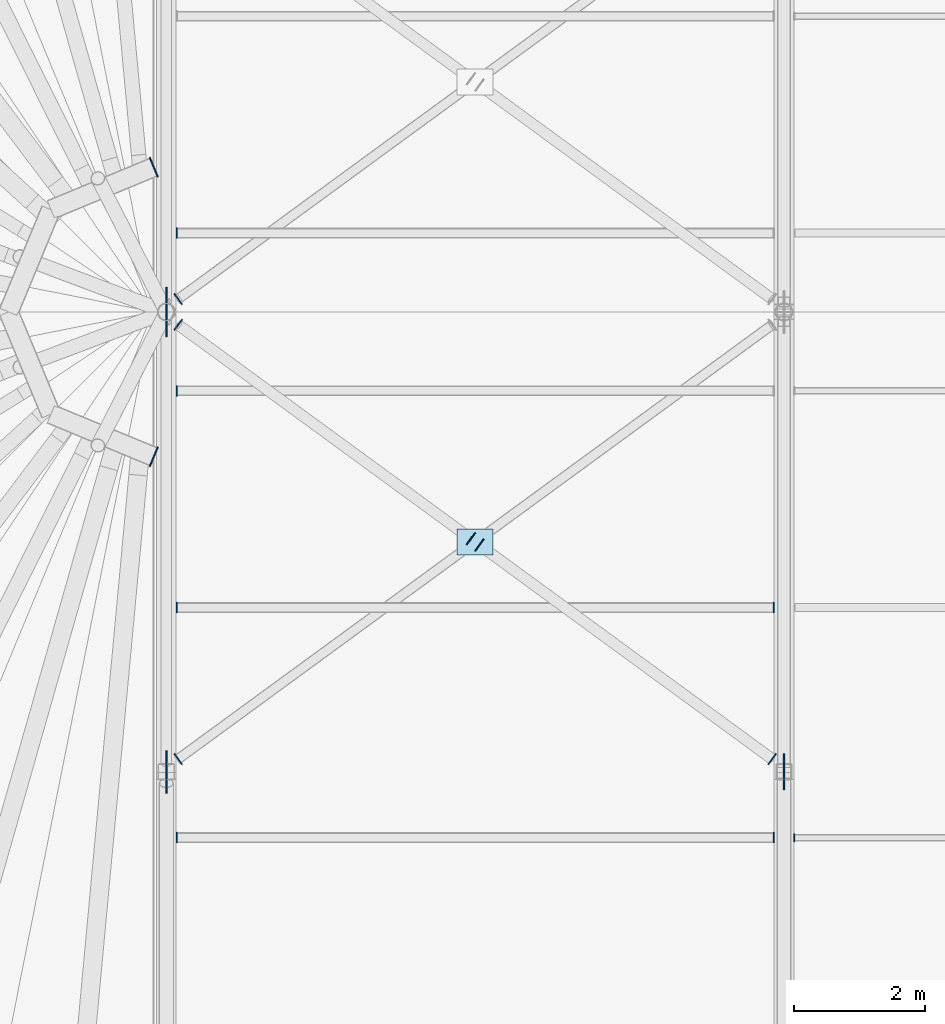
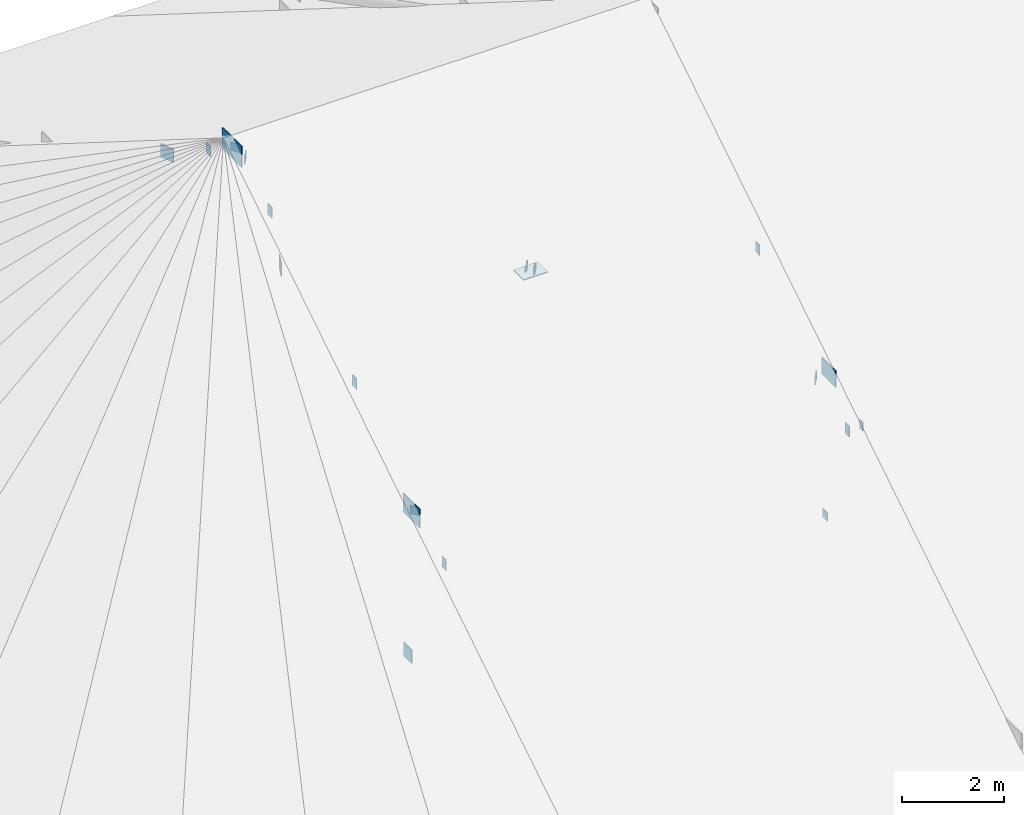
# One storey, part 35 of 66: 21 plates.
"""IFC4 building model written with IfcOpenShell, lengths in metres."""

from ifc_helpers import new_model, si_unit, direction, frame, origin, origin_2d, place, context, subcontext, project, spatial, rectangle, extrude, material, layer, layer_set, type_object, element, save


model = new_model("IFC4")

# Units and contexts
model_context = context("Model", 3, precision=1e-05, world=origin(), true_north=direction((0.0, 1.0)))
body_context = subcontext(model_context, "Body", "Model", "MODEL_VIEW")
ifc_project = project(units=[si_unit("LENGTHUNIT", "METRE"), si_unit("AREAUNIT", "SQUARE_METRE"), si_unit("VOLUMEUNIT", "CUBIC_METRE"), si_unit("PLANEANGLEUNIT", "RADIAN"), si_unit("MASSUNIT", "GRAM", prefix="KILO")], contexts=[model_context])

# Site, building, storey
site_placement = place(None, origin())
site = spatial("IfcSite", under=ifc_project, at=site_placement, CompositionType="ELEMENT")
building_placement = place(site_placement, origin())
building = spatial("IfcBuilding", under=site, at=building_placement, Name="Yeouljin Market Hall", CompositionType="ELEMENT")
storey_placement = place(building_placement, frame((0.0, 0.0, 23.39990234375)))
storey = spatial("IfcBuildingStorey", under=building, at=storey_placement, Name="RF", CompositionType="ELEMENT", Elevation=23.39990234375)

# Plates
ifc_material_1 = material(Name="Steel SM355", Category="steel")
ifc_layer_1 = layer(ifc_material_1, 0.01611328125)
ifc_layer_set_1 = layer_set([ifc_layer_1], Name="Steel SM355")
plate_type_1 = type_object("IfcPlateType", Name="CapPlate_200x200x16", PredefinedType="SHEET", material=ifc_layer_set_1)
for number, where, z_axis, x_axis, name in (
    (1, (45.0, 50.144287109375, -7.078125), (0.0, 0.0, 1.0), (0.0, 1.0, 0.0), "Hollow web end-cap plate 0006"),
    (2, (35.780029296875, 50.195556640625, -3.78271484375), (0.0, 0.0, 1.0), (-0.590183063249, 0.807269441918, 0.0), "Wind brace end-cap plate 0073"),
    (3, (35.780029296875, 56.804443359375, 0.623046875), (0.0, 0.0, 1.0), (0.590183063249, 0.807269441918, 0.0), "Wind brace end-cap plate 0075"),
    (4, (44.820068359375, 50.195556640625, -3.78271484375), (0.0, 0.0, 1.0), (0.590183063249, 0.807269441918, 0.0), "Wind brace end-cap plate 0078"),
    (5, (35.780029296875, 57.195556640625, 0.623046875), (0.0, 0.0, 1.0), (-0.590183063249, 0.807269441918, 0.0), "Wind brace end-cap plate 0079"),
):
    element("IfcPlate", number, at=place(storey_placement, frame(where, z_axis=z_axis, x_axis=x_axis)), inside=storey, type_object=plate_type_1, Name=name, PredefinedType="SHEET", context=body_context, shape_type="SweptSolid", body=[
        extrude(rectangle(XDim=0.199951171875, YDim=0.01611328125, at=origin_2d()), origin(), (0.0, 0.0, 1.0), 0.199951171875),
    ])
ifc_material_2 = material(Name="Steel SM355", Category="steel")
ifc_layer_2 = layer(ifc_material_2, 0.01611328125)
ifc_layer_set_2 = layer_set([ifc_layer_2], Name="Steel SM355")
plate_type_2 = type_object("IfcPlateType", Name="CapPlate_220x120x16", PredefinedType="SHEET", material=ifc_layer_set_2)
for number, where, z_axis, x_axis, name in (
    (6, (40.234619140625, 53.5478515625, -1.508056640625), (0.0, 0.0, 1.0), (0.590183063249, 0.807269441918, 0.0), "Wind brace end-cap plate 0076"),
    (7, (40.365478515625, 53.4521484375, -1.554931640625), (0.0, 0.0, 1.0), (0.590183063249, 0.807269441918, 0.0), "Wind brace end-cap plate 0077"),
):
    element("IfcPlate", number, at=place(storey_placement, frame(where, z_axis=z_axis, x_axis=x_axis)), inside=storey, type_object=plate_type_2, Name=name, PredefinedType="SHEET", context=body_context, shape_type="SweptSolid", body=[
        extrude(rectangle(XDim=0.219970703125, YDim=0.01611328125, at=origin_2d()), origin(), (0.0, 0.0, 1.0), 0.1201171875),
    ])
plate_1_placement = place(storey_placement, frame((45.157958984375, 49.0, -4.318359375), z_axis=(0.0, 0.0, 1.0), x_axis=(0.0, 1.0, 0.0)))
element("IfcPlate", 8, at=plate_1_placement, inside=storey, type_object=plate_type_2, Name="Purlin end-cap plate 0087", PredefinedType="SHEET", context=body_context, shape_type="SweptSolid", body=[
    extrude(rectangle(XDim=0.1201171875, YDim=0.01611328125, at=origin_2d()), origin(), (0.0, 0.0, 1.0), 0.219970703125),
])
ifc_material_3 = material(Name="Steel SM355", Category="steel")
ifc_layer_3 = layer(ifc_material_3, 0.01611328125)
ifc_layer_set_3 = layer_set([ifc_layer_3], Name="Steel SM355")
plate_type_3 = type_object("IfcPlateType", Name="CapPlate_260x160x16", PredefinedType="SHEET", material=ifc_layer_set_3)
for number, where, z_axis, x_axis, name in (
    (9, (35.758056640625, 49.0, -4.33837890625), (0.0, 0.0, 1.0), (0.0, 1.0, 0.0), "Purlin end-cap plate 0055"),
    (10, (44.842041015625, 49.0, -4.33837890625), (0.0, 0.0, 1.0), (0.0, 1.0, 0.0), "Purlin end-cap plate 0056"),
    (11, (35.758056640625, 52.5, -2.138671875), (0.0, 0.0, 1.0), (0.0, 1.0, 0.0), "Purlin end-cap plate 0057"),
    (12, (44.842041015625, 52.5, -2.138671875), (0.0, 0.0, 1.0), (0.0, 1.0, 0.0), "Purlin end-cap plate 0058"),
    (13, (35.758056640625, 55.800048828125, -0.06396484375), (0.0, 0.0, 1.0), (0.0, 1.0, 0.0), "Purlin end-cap plate 0059"),
    (14, (35.758056640625, 58.199951171875, -0.06396484375), (0.0, 0.0, 1.0), (0.0, 1.0, 0.0), "Purlin end-cap plate 0061"),
):
    element("IfcPlate", number, at=place(storey_placement, frame(where, z_axis=z_axis, x_axis=x_axis)), inside=storey, type_object=plate_type_3, Name=name, PredefinedType="SHEET", context=body_context, shape_type="SweptSolid", body=[
        extrude(rectangle(XDim=0.159912109375, YDim=0.01611328125, at=origin_2d()), origin(), (0.0, 0.0, 1.0), 0.260009765625),
    ])
ifc_material_4 = material(Name="Steel SM355", Category="steel")
ifc_layer_4 = layer(ifc_material_4, 0.02001953125)
ifc_layer_set_4 = layer_set([ifc_layer_4], Name="Steel SM355")
plate_type_4 = type_object("IfcPlateType", Name="CapPlate_320x320x20", PredefinedType="SHEET", material=ifc_layer_set_4)
for number, where, z_axis, x_axis, name in (
    (15, (35.60009765625, 50.144287109375, -7.13818359375), (0.0, 0.0, 1.0), (0.0, 1.0, 0.0), "Hollow web end-cap plate 0002"),
    (16, (35.4091796875, 54.796142578125, -0.66015625), (0.0, 0.0, 1.0), (-0.382683432365, -0.923879532511, 0.0), "Apse compression ring cap plate west 1"),
    (17, (35.4091796875, 59.203857421875, -0.66015625), (0.0, 0.0, 1.0), (-0.382683432365, 0.923879532511, 0.0), "Apse compression ring cap plate west 4"),
):
    element("IfcPlate", number, at=place(storey_placement, frame(where, z_axis=z_axis, x_axis=x_axis)), inside=storey, type_object=plate_type_4, Name=name, PredefinedType="SHEET", context=body_context, shape_type="SweptSolid", body=[
        extrude(rectangle(XDim=0.320068359375, YDim=0.02001953125, at=origin_2d()), origin(), (0.0, 0.0, 1.0), 0.320068359375),
    ])
ifc_material_5 = material(Name="Steel SM355", Category="steel")
ifc_layer_5 = layer(ifc_material_5, 0.02001953125)
ifc_layer_set_5 = layer_set([ifc_layer_5], Name="Steel SM355")
plate_type_5 = type_object("IfcPlateType", Name="GussetPlate_550x400x20", PredefinedType="USERDEFINED", material=ifc_layer_set_5)
plate_2_placement = place(storey_placement, frame((45.0, 50.0, -3.699951171875), z_axis=(0.0, 0.0, 1.0), x_axis=(0.0, 1.0, 0.0)))
element("IfcPlate", 18, at=plate_2_placement, inside=storey, type_object=plate_type_5, Name="Truss node gusset plate 007", ObjectType="GUSSET PLATE", PredefinedType="USERDEFINED", context=body_context, shape_type="SweptSolid", body=[
    extrude(rectangle(XDim=0.550048828125, YDim=0.02001953125, at=origin_2d()), origin(), (0.0, 0.0, 1.0), 0.39990234375),
])
plate_3_placement = place(storey_placement, frame((40.300048828125, 53.5, -1.579833984375), z_axis=(0.0, 0.0, 1.0), x_axis=(1.0, 0.0, 0.0)))
element("IfcPlate", 19, at=plate_3_placement, inside=storey, type_object=plate_type_5, Name="X-brace crossing node gusset plate 001", ObjectType="GUSSET PLATE", PredefinedType="USERDEFINED", context=body_context, shape_type="SweptSolid", body=[
    extrude(rectangle(XDim=0.550048828125, YDim=0.39990234375, at=origin_2d()), origin(), (0.0, 0.0, 1.0), 0.02001953125),
])
ifc_material_6 = material(Name="Steel SM355", Category="steel")
ifc_layer_6 = layer(ifc_material_6, 0.02197265625)
ifc_layer_set_6 = layer_set([ifc_layer_6], Name="Steel SM355")
plate_type_6 = type_object("IfcPlateType", Name="GussetPlate_650x450x22", PredefinedType="USERDEFINED", material=ifc_layer_set_6)
plate_4_placement = place(storey_placement, frame((35.60009765625, 50.0, -3.72509765625), z_axis=(0.0, 0.0, 1.0), x_axis=(0.0, 1.0, 0.0)))
element("IfcPlate", 20, at=plate_4_placement, inside=storey, type_object=plate_type_6, Name="Truss node gusset plate 002", ObjectType="GUSSET PLATE", PredefinedType="USERDEFINED", context=body_context, shape_type="SweptSolid", body=[
    extrude(rectangle(XDim=0.64990234375, YDim=0.02197265625, at=origin_2d()), origin(), (0.0, 0.0, 1.0), 0.449951171875),
])
ifc_material_7 = material(Name="Steel SM355", Category="steel")
ifc_layer_7 = layer(ifc_material_7, 0.02392578125)
ifc_layer_set_7 = layer_set([ifc_layer_7], Name="Steel SM355")
plate_type_7 = type_object("IfcPlateType", Name="GussetPlate_750x500x24", PredefinedType="USERDEFINED", material=ifc_layer_set_7)
plate_5_placement = place(storey_placement, frame((35.60009765625, 57.0, 0.650146484375), z_axis=(0.0, 0.0, 1.0), x_axis=(0.0, 1.0, 0.0)))
element("IfcPlate", 21, at=plate_5_placement, inside=storey, type_object=plate_type_7, Name="Truss node gusset plate 003", ObjectType="GUSSET PLATE", PredefinedType="USERDEFINED", context=body_context, shape_type="SweptSolid", body=[
    extrude(rectangle(XDim=0.75, YDim=0.02392578125, at=origin_2d()), origin(), (0.0, 0.0, 1.0), 0.5),
])

save(model, "model.ifc")
